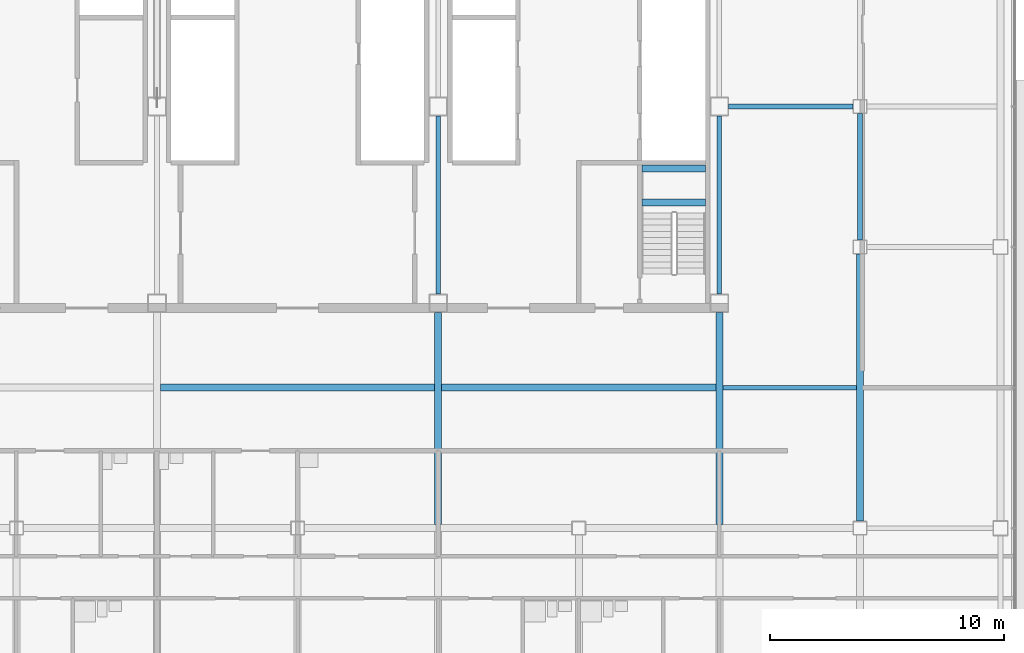
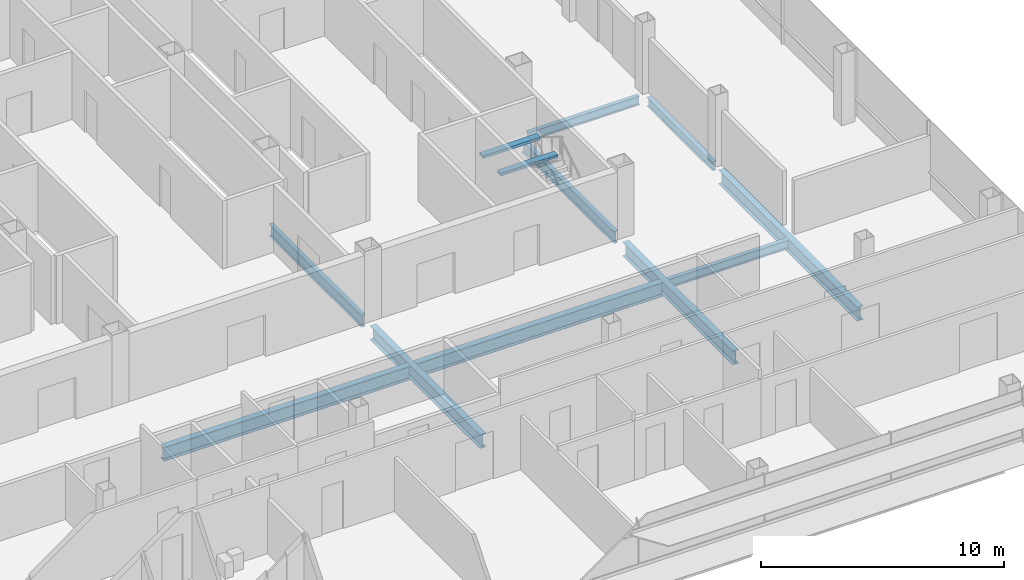
# One storey, part 10 of 27: 12 beams.
"""IFC4 building model written with IfcOpenShell, lengths in metres."""

from ifc_helpers import new_model, si_unit, direction, frame, origin, origin_2d, place, context, subcontext, project, spatial, rectangle, i_section, extrude, material, material_profile, profile_set, type_object, element, save


model = new_model("IFC4")

# Units and contexts
model_context = context("Model", 3, precision=1e-05, world=origin(), true_north=direction((0.0, 1.0)))
body_context = subcontext(model_context, "Body", "Model", "MODEL_VIEW")
ifc_project = project(units=[si_unit("LENGTHUNIT", "METRE"), si_unit("AREAUNIT", "SQUARE_METRE"), si_unit("VOLUMEUNIT", "CUBIC_METRE"), si_unit("PLANEANGLEUNIT", "RADIAN"), si_unit("MASSUNIT", "GRAM", prefix="KILO")], contexts=[model_context])

# Site, building, storey
site_placement = place(None, origin())
site = spatial("IfcSite", under=ifc_project, at=site_placement, CompositionType="ELEMENT")
building_placement = place(site_placement, origin())
building = spatial("IfcBuilding", under=site, at=building_placement, Name="Sorahane Residences", CompositionType="ELEMENT")
storey_placement = place(building_placement, frame((0.0, 0.0, 202.800048828125)))
storey = spatial("IfcBuildingStorey", under=building, at=storey_placement, Name="L47", CompositionType="ELEMENT", Elevation=202.800048828125)

# Beams
ifc_material_1 = material(Name="Concrete C40", Category="concrete")
ifc_material_profile_1 = material_profile(ifc_material_1, rectangle(XDim=0.300048828125, YDim=0.139892578125, at=origin_2d()), Name="300x140")
ifc_profile_set_1 = profile_set([ifc_material_profile_1], Name="Concrete C40")
beam_type_1 = type_object("IfcBeamType", Name="RC landing beam 300 x 140 Concrete C40", PredefinedType="BEAM", material=ifc_profile_set_1)
for number, where, z_axis, x_axis, name in (
    (1, (38.699951171875, 25.89990234375, 1.530029296875), (1.0, 0.0, 0.0), (0.0, 1.0, 0.0), "Landing beam"),
    (2, (38.699951171875, 27.35009765625, 1.530029296875), (1.0, 0.0, 0.0), (0.0, 1.0, 0.0), "Landing beam"),
):
    element("IfcBeam", number, at=place(storey_placement, frame(where, z_axis=z_axis, x_axis=x_axis)), inside=storey, type_object=beam_type_1, Name=name, PredefinedType="BEAM", context=body_context, shape_type="SweptSolid", body=[
        extrude(rectangle(XDim=0.300048828125, YDim=0.139892578125, at=origin_2d()), origin(), (0.0, 0.0, 1.0), 2.699951171875),
    ])
ifc_material_2 = material(Name="Steel Q355B", Category="steel")
ifc_material_profile_2 = material_profile(ifc_material_2, i_section(OverallWidth=0.199951171875, OverallDepth=0.449951171875, WebThickness=0.009033203125, FlangeThickness=0.013916015625, FilletRadius=0.02001953125, at=origin_2d()), Name="HN 450x200x9x14")
ifc_profile_set_2 = profile_set([ifc_material_profile_2], Name="Steel Q355B")
beam_type_2 = type_object("IfcBeamType", Name="Steel floor beam HN 450x200x9x14 Q355B", PredefinedType="BEAM", material=ifc_profile_set_2)
beam_1_placement = place(storey_placement, frame((48.0, 24.300048828125, -0.405029296875), z_axis=(0.0, 1.0, 0.0), x_axis=(-1.0, 0.0, 0.0)))
element("IfcBeam", 3, at=beam_1_placement, inside=storey, type_object=beam_type_2, Name="Beam L47 060", PredefinedType="BEAM", context=body_context, shape_type="SweptSolid", body=[
    extrude(i_section(OverallWidth=0.199951171875, OverallDepth=0.449951171875, WebThickness=0.009033203125, FlangeThickness=0.013916015625, FilletRadius=0.02001953125, at=origin_2d()), origin(), (0.0, 0.0, 1.0), 5.39990234375),
])
beam_2_placement = place(storey_placement, frame((42.14990234375, 18.0, -0.405029296875), z_axis=(1.0, 0.0, 0.0), x_axis=(0.0, 1.0, 0.0)))
element("IfcBeam", 4, at=beam_2_placement, inside=storey, type_object=beam_type_2, Name="Beam L47 083", PredefinedType="BEAM", context=body_context, shape_type="SweptSolid", body=[
    extrude(i_section(OverallWidth=0.199951171875, OverallDepth=0.449951171875, WebThickness=0.009033203125, FlangeThickness=0.013916015625, FilletRadius=0.02001953125, at=origin_2d()), origin(), (0.0, 0.0, 1.0), 5.7001953125),
])
beam_3_placement = place(storey_placement, frame((42.39990234375, 30.0, -0.405029296875), z_axis=(1.0, 0.0, 0.0), x_axis=(0.0, 1.0, 0.0)))
element("IfcBeam", 5, at=beam_3_placement, inside=storey, type_object=beam_type_2, Name="Beam L47 087", PredefinedType="BEAM", context=body_context, shape_type="SweptSolid", body=[
    extrude(i_section(OverallWidth=0.199951171875, OverallDepth=0.449951171875, WebThickness=0.009033203125, FlangeThickness=0.013916015625, FilletRadius=0.02001953125, at=origin_2d()), origin(), (0.0, 0.0, 1.0), 5.300048828125),
])
ifc_material_3 = material(Name="Steel Q355B", Category="steel")
ifc_material_profile_3 = material_profile(ifc_material_3, i_section(OverallWidth=0.199951171875, OverallDepth=0.60009765625, WebThickness=0.010986328125, FlangeThickness=0.01708984375, FilletRadius=0.02392578125, at=origin_2d()), Name="HN 600x200x11x17")
ifc_profile_set_3 = profile_set([ifc_material_profile_3], Name="Steel Q355B")
beam_type_3 = type_object("IfcBeamType", Name="Steel floor beam HN 600x200x11x17 Q355B", PredefinedType="BEAM", material=ifc_profile_set_3)
for number, where, z_axis, x_axis, name in (
    (6, (30.0, 22.0, -0.47998046875), (0.0, 1.0, 0.0), (-1.0, 0.0, 0.0), "Beam L47 046"),
    (7, (42.0, 22.0, -0.47998046875), (0.0, 1.0, 0.0), (-1.0, 0.0, 0.0), "Beam L47 054"),
):
    element("IfcBeam", number, at=place(storey_placement, frame(where, z_axis=z_axis, x_axis=x_axis)), inside=storey, type_object=beam_type_3, Name=name, PredefinedType="BEAM", context=body_context, shape_type="SweptSolid", body=[
        extrude(i_section(OverallWidth=0.199951171875, OverallDepth=0.60009765625, WebThickness=0.010986328125, FlangeThickness=0.01708984375, FilletRadius=0.02392578125, at=origin_2d()), origin(), (0.0, 0.0, 1.0), 7.60009765625),
    ])
ifc_material_4 = material(Name="Steel Q355B", Category="steel")
ifc_material_profile_4 = material_profile(ifc_material_4, i_section(OverallWidth=0.300048828125, OverallDepth=0.699951171875, WebThickness=0.012939453125, FlangeThickness=0.02392578125, FilletRadius=0.028076171875, at=origin_2d()), Name="HN 700x300x13x24")
ifc_profile_set_4 = profile_set([ifc_material_profile_4], Name="Steel Q355B")
beam_type_4 = type_object("IfcBeamType", Name="Steel floor beam HN 700x300x13x24 Q355B", PredefinedType="BEAM", material=ifc_profile_set_4)
for number, where, z_axis, x_axis, name in (
    (8, (30.0, 12.14990234375, -0.530029296875), (0.0, 1.0, 0.0), (-1.0, 0.0, 0.0), "Beam L47 045"),
    (9, (42.0, 12.14990234375, -0.530029296875), (0.0, 1.0, 0.0), (-1.0, 0.0, 0.0), "Beam L47 053"),
):
    element("IfcBeam", number, at=place(storey_placement, frame(where, z_axis=z_axis, x_axis=x_axis)), inside=storey, type_object=beam_type_4, Name=name, PredefinedType="BEAM", context=body_context, shape_type="SweptSolid", body=[
        extrude(i_section(OverallWidth=0.300048828125, OverallDepth=0.699951171875, WebThickness=0.012939453125, FlangeThickness=0.02392578125, FilletRadius=0.028076171875, at=origin_2d()), origin(), (0.0, 0.0, 1.0), 9.050048828125),
    ])
beam_4_placement = place(storey_placement, frame((48.0, 12.300048828125, -0.530029296875), z_axis=(0.0, 1.0, 0.0), x_axis=(-1.0, 0.0, 0.0)))
element("IfcBeam", 10, at=beam_4_placement, inside=storey, type_object=beam_type_4, Name="Beam L47 059", PredefinedType="BEAM", context=body_context, shape_type="SweptSolid", body=[
    extrude(i_section(OverallWidth=0.300048828125, OverallDepth=0.699951171875, WebThickness=0.012939453125, FlangeThickness=0.02392578125, FilletRadius=0.028076171875, at=origin_2d()), origin(), (0.0, 0.0, 1.0), 11.39990234375),
])
for number, where, z_axis, x_axis, name in (
    (11, (18.14990234375, 18.0, -0.530029296875), (1.0, 0.0, 0.0), (0.0, 1.0, 0.0), "Beam L47 081"),
    (12, (30.14990234375, 18.0, -0.530029296875), (1.0, 0.0, 0.0), (0.0, 1.0, 0.0), "Beam L47 082"),
):
    element("IfcBeam", number, at=place(storey_placement, frame(where, z_axis=z_axis, x_axis=x_axis)), inside=storey, type_object=beam_type_4, Name=name, PredefinedType="BEAM", context=body_context, shape_type="SweptSolid", body=[
        extrude(i_section(OverallWidth=0.300048828125, OverallDepth=0.699951171875, WebThickness=0.012939453125, FlangeThickness=0.02392578125, FilletRadius=0.028076171875, at=origin_2d()), origin(), (0.0, 0.0, 1.0), 11.7001953125),
    ])

save(model, "model.ifc")
